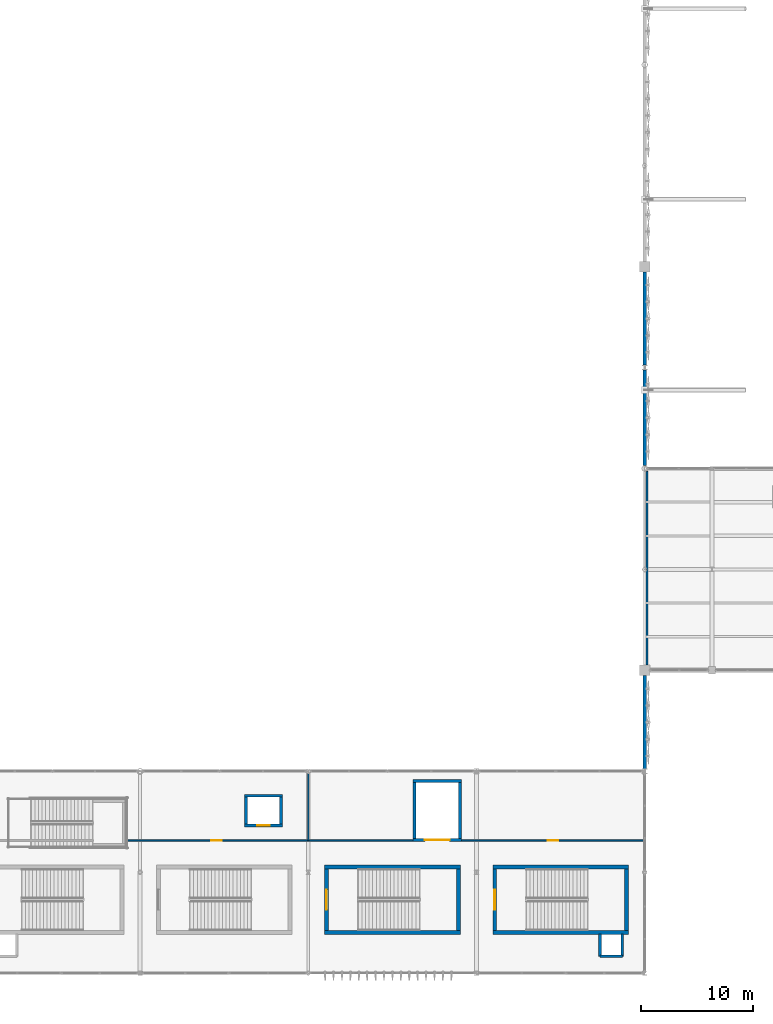
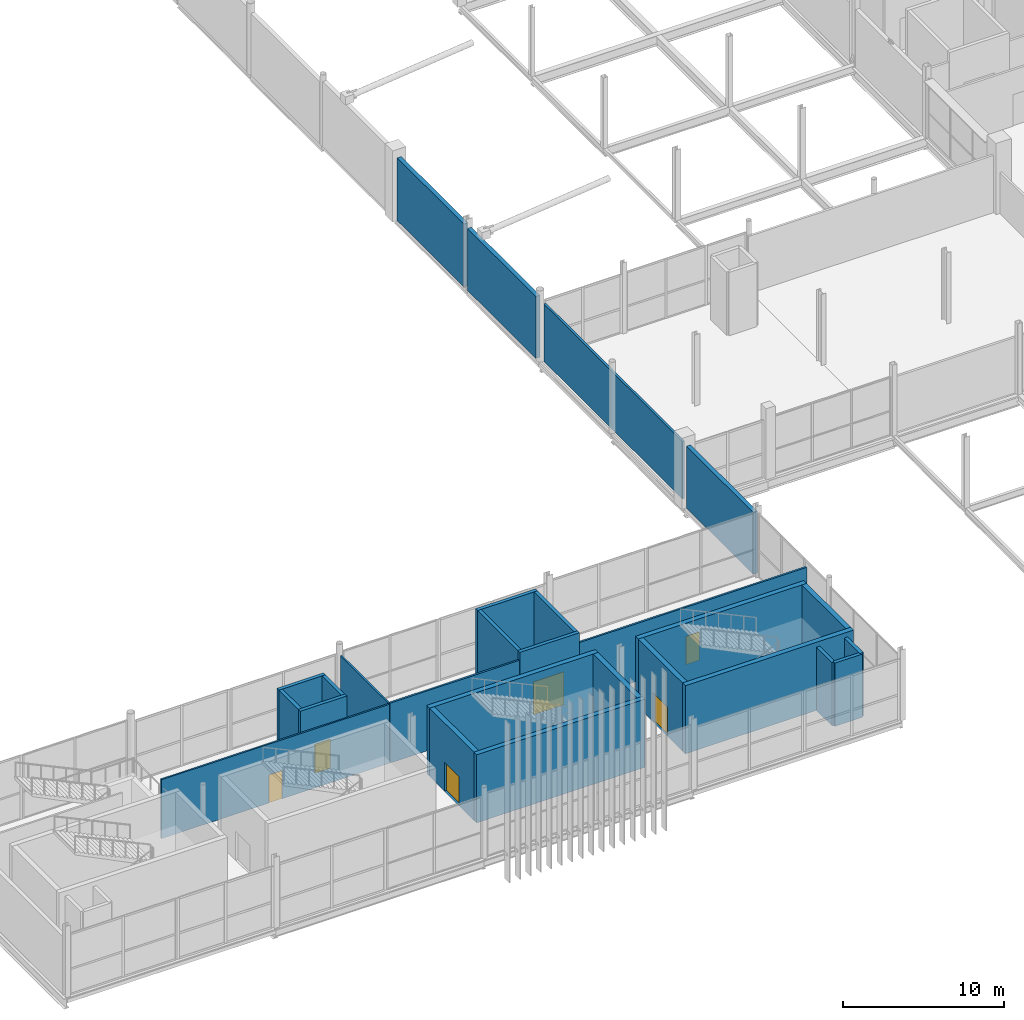
# One storey, part 87 of 119: 27 walls, 6 doors, 6 openings.
"""IFC4 building model written with IfcOpenShell, lengths in metres."""

from ifc_helpers import new_model, si_unit, direction, frame, frame_2d, origin, place, context, subcontext, project, spatial, rectangle, extrude, material, layer, layer_set, type_object, element, fill, save


model = new_model("IFC4")

# Units and contexts
model_context = context("Model", 3, precision=1e-05, world=origin(), true_north=direction((0.0, 1.0)))
body_context = subcontext(model_context, "Body", "Model", "MODEL_VIEW")
ifc_project = project(units=[si_unit("LENGTHUNIT", "METRE"), si_unit("AREAUNIT", "SQUARE_METRE"), si_unit("VOLUMEUNIT", "CUBIC_METRE"), si_unit("PLANEANGLEUNIT", "RADIAN"), si_unit("MASSUNIT", "GRAM", prefix="KILO")], contexts=[model_context])

# Site, building, storey
site_placement = place(None, origin())
site = spatial("IfcSite", under=ifc_project, at=site_placement, CompositionType="ELEMENT")
building_placement = place(site_placement, origin())
building = spatial("IfcBuilding", under=site, at=building_placement, Name="Qamarlyn Nura Convention Centre", CompositionType="ELEMENT")
storey_placement = place(building_placement, frame((0.0, 0.0, 5.39990234375)))
storey = spatial("IfcBuildingStorey", under=building, at=storey_placement, Name="L01", CompositionType="ELEMENT", Elevation=5.39990234375)

# Walls
ifc_material_1 = material(Name="Concrete C50/60", Category="concrete")
ifc_layer_1 = layer(ifc_material_1, 0.35009765625, Name="WT-CORE-350")
ifc_layer_set_1 = layer_set([ifc_layer_1], Name="Concrete C50/60")
wall_type_1 = type_object("IfcWallType", Name="WT-CORE-350", PredefinedType="SHEAR", material=ifc_layer_set_1)
for number, where, z_axis, x_axis, name in (
    (1, (91.449951171875, 3.625, 0.0), (0.0, 0.0, 1.0), (1.0, 0.0, 0.0), "L01 stair core shear wall ST-07-S"),
    (2, (103.550048828125, 9.47509765625, 0.0), (0.0, 0.0, 1.0), (-1.0, 0.0, 0.0), "L01 stair core shear wall ST-07-N"),
):
    element("IfcWall", number, at=place(storey_placement, frame(where, z_axis=z_axis, x_axis=x_axis)), inside=storey, type_object=wall_type_1, Name=name, PredefinedType="SHEAR", context=body_context, shape_type="SweptSolid", body=[
        extrude(rectangle(XDim=12.10009765625, YDim=0.35009765625, at=frame_2d((6.050048828125, 0.0))), origin(), (0.0, 0.0, 1.0), 5.18017578125),
    ])

# Wall, opening, door
wall_1_placement = place(storey_placement, frame((91.625, 9.300048828125, 0.0), z_axis=(0.0, 0.0, 1.0), x_axis=(0.0, -1.0, 0.0)))
wall_1 = element("IfcWall", 3, at=wall_1_placement, inside=storey, type_object=wall_type_1, Name="L01 stair core shear wall ST-07-W", PredefinedType="SHEAR", context=body_context, shape_type="SweptSolid", body=[
    extrude(rectangle(XDim=5.5, YDim=0.35009765625, at=frame_2d((2.75, 0.0))), origin(), (0.0, 0.0, 1.0), 5.18017578125),
])
opening_1_placement = place(wall_1_placement, frame((1.85009765625, 0.0, 0.0)))
opening_1 = element("IfcOpeningElement", 4, at=opening_1_placement, cuts=wall_1, Name="Opening DS-023", PredefinedType="OPENING", context=body_context, shape_type="SweptSolid", body=[
    extrude(rectangle(XDim=1.800048828125, YDim=2.199951171875, at=frame_2d((0.89990234375, 1.10009765625))), frame((0.0, 0.18505859375, 0.0), z_axis=(0.0, -1.0, 0.0), x_axis=(1.0, 0.0, 0.0)), (0.0, 0.0, 1.0), 0.3701171875),
])
ifc_material_2 = material(Name="Galvanised fire-rated hollow steel door", Category="steel")
door_type_1 = type_object("IfcDoorType", Name="DR-STAIR-1800", OperationType="DOUBLE_DOOR_SINGLE_SWING", PredefinedType="DOOR", material=ifc_material_2)
door_1_placement = place(opening_1_placement, origin())
door_1 = element("IfcDoor", 5, at=door_1_placement, inside=storey, type_object=door_type_1, Name="L01 exit stair door ST-07 (DS-023)", OperationType="DOUBLE_DOOR_SINGLE_SWING", OverallHeight=2.199951171875, OverallWidth=1.800048828125, PredefinedType="DOOR", context=body_context, shape_type="SweptSolid", body=[
    extrude(rectangle(XDim=1.800048828125, YDim=2.199951171875, at=frame_2d((0.89990234375, 1.10009765625))), frame((0.0, 0.02490234375, 0.0), z_axis=(0.0, -1.0, 0.0), x_axis=(1.0, 0.0, 0.0)), (0.0, 0.0, 1.0), 0.050048828125),
])
fill(opening_1, door_1)

# Walls
wall_2_placement = place(storey_placement, frame((103.375, 3.800048828125, 0.0), z_axis=(0.0, 0.0, 1.0), x_axis=(0.0, 1.0, 0.0)))
element("IfcWall", 6, at=wall_2_placement, inside=storey, type_object=wall_type_1, Name="L01 stair core shear wall ST-07-E", PredefinedType="SHEAR", context=body_context, shape_type="SweptSolid", body=[
    extrude(rectangle(XDim=5.5, YDim=0.35009765625, at=frame_2d((2.75, 0.0))), origin(), (0.0, 0.0, 1.0), 5.18017578125),
])
for number, where, z_axis, x_axis, name in (
    (7, (106.449951171875, 3.625, 0.0), (0.0, 0.0, 1.0), (1.0, 0.0, 0.0), "L01 stair core shear wall ST-08-S"),
    (8, (118.550048828125, 9.47509765625, 0.0), (0.0, 0.0, 1.0), (-1.0, 0.0, 0.0), "L01 stair core shear wall ST-08-N"),
):
    element("IfcWall", number, at=place(storey_placement, frame(where, z_axis=z_axis, x_axis=x_axis)), inside=storey, type_object=wall_type_1, Name=name, PredefinedType="SHEAR", context=body_context, shape_type="SweptSolid", body=[
        extrude(rectangle(XDim=12.10009765625, YDim=0.35009765625, at=frame_2d((6.050048828125, 0.0))), origin(), (0.0, 0.0, 1.0), 5.18017578125),
    ])

# Wall, opening, door
wall_3_placement = place(storey_placement, frame((106.625, 9.300048828125, 0.0), z_axis=(0.0, 0.0, 1.0), x_axis=(0.0, -1.0, 0.0)))
wall_3 = element("IfcWall", 9, at=wall_3_placement, inside=storey, type_object=wall_type_1, Name="L01 stair core shear wall ST-08-W", PredefinedType="SHEAR", context=body_context, shape_type="SweptSolid", body=[
    extrude(rectangle(XDim=5.5, YDim=0.35009765625, at=frame_2d((2.75, 0.0))), origin(), (0.0, 0.0, 1.0), 5.18017578125),
])
opening_2_placement = place(wall_3_placement, frame((1.85009765625, 0.0, 0.0)))
opening_2 = element("IfcOpeningElement", 10, at=opening_2_placement, cuts=wall_3, Name="Opening DS-027", PredefinedType="OPENING", context=body_context, shape_type="SweptSolid", body=[
    extrude(rectangle(XDim=1.800048828125, YDim=2.199951171875, at=frame_2d((0.89990234375, 1.10009765625))), frame((0.0, 0.18505859375, 0.0), z_axis=(0.0, -1.0, 0.0), x_axis=(1.0, 0.0, 0.0)), (0.0, 0.0, 1.0), 0.3701171875),
])
door_2_placement = place(opening_2_placement, origin())
door_2 = element("IfcDoor", 11, at=door_2_placement, inside=storey, type_object=door_type_1, Name="L01 exit stair door ST-08 (DS-027)", OperationType="DOUBLE_DOOR_SINGLE_SWING", OverallHeight=2.199951171875, OverallWidth=1.800048828125, PredefinedType="DOOR", context=body_context, shape_type="SweptSolid", body=[
    extrude(rectangle(XDim=1.800048828125, YDim=2.199951171875, at=frame_2d((0.89990234375, 1.10009765625))), frame((0.0, 0.02490234375, 0.0), z_axis=(0.0, -1.0, 0.0), x_axis=(1.0, 0.0, 0.0)), (0.0, 0.0, 1.0), 0.050048828125),
])
fill(opening_2, door_2)

# Walls
wall_4_placement = place(storey_placement, frame((118.375, 3.800048828125, 0.0), z_axis=(0.0, 0.0, 1.0), x_axis=(0.0, 1.0, 0.0)))
element("IfcWall", 12, at=wall_4_placement, inside=storey, type_object=wall_type_1, Name="L01 stair core shear wall ST-08-E", PredefinedType="SHEAR", context=body_context, shape_type="SweptSolid", body=[
    extrude(rectangle(XDim=5.5, YDim=0.35009765625, at=frame_2d((2.75, 0.0))), origin(), (0.0, 0.0, 1.0), 5.18017578125),
])
ifc_material_3 = material(Name="Concrete C40/50 with UAE coastal limestone stone facing", Category="masonry")
ifc_layer_2 = layer(ifc_material_3, 0.300048828125, Name="WT-LIME-300")
ifc_layer_set_2 = layer_set([ifc_layer_2], Name="Concrete C40/50 with UAE coastal limestone stone facing")
wall_type_2 = type_object("IfcWallType", Name="WT-LIME-300", PredefinedType="SOLIDWALL", material=ifc_layer_set_2)
wall_5_placement = place(storey_placement, frame((120.0, 26.52490234375, 0.0), z_axis=(0.0, 0.0, 1.0), x_axis=(0.0, -1.0, 0.0)))
element("IfcWall", 13, at=wall_5_placement, inside=storey, type_object=wall_type_2, Name="L01 exterior facade wall WEXT-L01-1200-265-1200-182", PredefinedType="SOLIDWALL", context=body_context, shape_type="SweptSolid", body=[
    extrude(rectangle(XDim=8.3125, YDim=0.300048828125, at=frame_2d((4.15625, 0.0))), origin(), (0.0, 0.0, 1.0), 4.701171875),
])
wall_6_placement = place(storey_placement, frame((120.0, 53.78759765625, 0.0), z_axis=(0.0, 0.0, 1.0), x_axis=(0.0, -1.0, 0.0)))
element("IfcWall", 14, at=wall_6_placement, inside=storey, type_object=wall_type_2, Name="L01 exterior facade wall WEXT-L01-1200-538-1200-453", PredefinedType="SOLIDWALL", context=body_context, shape_type="SweptSolid", body=[
    extrude(rectangle(XDim=8.53369140625, YDim=0.300048828125, at=frame_2d((4.266845703125, 0.0))), origin(), (0.0, 0.0, 1.0), 4.701171875),
])
wall_7_placement = place(storey_placement, frame((120.0, 62.52490234375, 0.0), z_axis=(0.0, 0.0, 1.0), x_axis=(0.0, -1.0, 0.0)))
element("IfcWall", 15, at=wall_7_placement, inside=storey, type_object=wall_type_2, Name="L01 exterior facade wall WEXT-L01-1200-625-1200-542", PredefinedType="SOLIDWALL", context=body_context, shape_type="SweptSolid", body=[
    extrude(rectangle(XDim=8.3125, YDim=0.300048828125, at=frame_2d((4.15625, 0.0))), origin(), (0.0, 0.0, 1.0), 4.774169921875),
])
ifc_material_4 = material(Name="Acoustic double-stud gypsum partition")
ifc_layer_3 = layer(ifc_material_4, 0.1201171875, Name="WT-PART-120")
ifc_layer_set_3 = layer_set([ifc_layer_3], Name="Acoustic double-stud gypsum partition")
wall_type_3 = type_object("IfcWallType", Name="WT-PART-120", PredefinedType="PARTITIONING", material=ifc_layer_set_3)
wall_8_placement = place(storey_placement, frame((90.0, 17.7900390625, 0.0), z_axis=(0.0, 0.0, 1.0), x_axis=(0.0, -1.0, 0.0)))
element("IfcWall", 16, at=wall_8_placement, inside=storey, type_object=wall_type_3, Name="L01 interior partition L01-MEZ-VIEW-2-1", PredefinedType="PARTITIONING", context=body_context, shape_type="SweptSolid", body=[
    extrude(rectangle(XDim=5.949951171875, YDim=0.1201171875, at=frame_2d((2.97509765625, 0.0))), origin(), (0.0, 0.0, 1.0), 4.55419921875),
])

# Wall, opening, door
wall_9_placement = place(storey_placement, frame((90.0, 11.840087890625, 0.0), z_axis=(0.0, 0.0, 1.0), x_axis=(-1.0, 0.0, 0.0)))
wall_9 = element("IfcWall", 17, at=wall_9_placement, inside=storey, type_object=wall_type_3, Name="L01 interior partition L01-MEZ-VIEW-3-1", PredefinedType="PARTITIONING", context=body_context, shape_type="SweptSolid", body=[
    extrude(rectangle(XDim=16.3798828125, YDim=0.1201171875, at=frame_2d((8.18994140625, 0.0))), origin(), (0.0, 0.0, 1.0), 4.481201171875),
])
opening_3_placement = place(wall_9_placement, frame((7.719970703125, 0.0, 0.0)))
opening_3 = element("IfcOpeningElement", 18, at=opening_3_placement, cuts=wall_9, Name="Opening D-L01-161", PredefinedType="OPENING", context=body_context, shape_type="SweptSolid", body=[
    extrude(rectangle(XDim=0.93994140625, YDim=2.14990234375, at=frame_2d((0.469970703125, 1.074951171875))), frame((0.0, 0.070068359375, 0.0), z_axis=(0.0, -1.0, 0.0), x_axis=(1.0, 0.0, 0.0)), (0.0, 0.0, 1.0), 0.14013671875),
])
ifc_material_5 = material(Name="Acoustic walnut timber leaf", Category="wood")
door_type_2 = type_object("IfcDoorType", Name="DR-ROOM-0940", OperationType="NOTDEFINED", PredefinedType="DOOR", material=ifc_material_5)
door_3_placement = place(opening_3_placement, origin())
door_3 = element("IfcDoor", 19, at=door_3_placement, inside=storey, type_object=door_type_2, Name="L01 Viewing Mezzanine door D-L01-161", OperationType="SINGLE_SWING_RIGHT", OverallHeight=2.14990234375, OverallWidth=0.93994140625, PredefinedType="DOOR", context=body_context, shape_type="SweptSolid", body=[
    extrude(rectangle(XDim=0.93994140625, YDim=2.14990234375, at=frame_2d((0.469970703125, 1.074951171875))), frame((0.0, 0.02490234375, 0.0), z_axis=(0.0, -1.0, 0.0), x_axis=(1.0, 0.0, 0.0)), (0.0, 0.0, 1.0), 0.050048828125),
])
fill(opening_3, door_3)

ifc_layer_4 = layer(ifc_material_4, 0.135009765625, Name="WT-PART-135")
ifc_layer_set_4 = layer_set([ifc_layer_4], Name="Acoustic double-stud gypsum partition")
wall_type_4 = type_object("IfcWallType", Name="WT-PART-135", PredefinedType="PARTITIONING", material=ifc_layer_set_4)
wall_10_placement = place(storey_placement, frame((119.988037109375, 11.840087890625, 0.0), z_axis=(0.0, 0.0, 1.0), x_axis=(-1.0, 0.0, 0.0)))
wall_10 = element("IfcWall", 20, at=wall_10_placement, inside=storey, type_object=wall_type_4, Name="L01 interior partition L01-BRK-SW1-2-1", PredefinedType="PARTITIONING", context=body_context, shape_type="SweptSolid", body=[
    extrude(rectangle(XDim=16.338134765625, YDim=0.135009765625, at=frame_2d((8.1689453125, 0.0))), origin(), (0.0, 0.0, 1.0), 4.39208984375),
])
opening_4_placement = place(wall_10_placement, frame((7.678955078125, 0.0, 0.0)))
opening_4 = element("IfcOpeningElement", 21, at=opening_4_placement, cuts=wall_10, Name="Opening D-L01-162", PredefinedType="OPENING", context=body_context, shape_type="SweptSolid", body=[
    extrude(rectangle(XDim=0.97998046875, YDim=2.14990234375, at=frame_2d((0.489990234375, 1.074951171875))), frame((0.0, 0.07763671875, 0.0), z_axis=(0.0, -1.0, 0.0), x_axis=(1.0, 0.0, 0.0)), (0.0, 0.0, 1.0), 0.155029296875),
])
door_type_3 = type_object("IfcDoorType", Name="DR-ROOM-0980", OperationType="NOTDEFINED", PredefinedType="DOOR", material=ifc_material_5)
door_4_placement = place(opening_4_placement, origin())
door_4 = element("IfcDoor", 22, at=door_4_placement, inside=storey, type_object=door_type_3, Name="L01 South Breakout Meeting Suite 101 door D-L01-162", OperationType="SINGLE_SWING_LEFT", OverallHeight=2.14990234375, OverallWidth=0.97998046875, PredefinedType="DOOR", context=body_context, shape_type="SweptSolid", body=[
    extrude(rectangle(XDim=0.97998046875, YDim=2.14990234375, at=frame_2d((0.489990234375, 1.074951171875))), frame((0.0, 0.02490234375, 0.0), z_axis=(0.0, -1.0, 0.0), x_axis=(1.0, 0.0, 0.0)), (0.0, 0.0, 1.0), 0.050048828125),
])
fill(opening_4, door_4)

# Walls
wall_11_placement = place(storey_placement, frame((99.35009765625, 11.840087890625, 0.0), z_axis=(0.0, 0.0, 1.0), x_axis=(-1.0, 0.0, 0.0)))
element("IfcWall", 23, at=wall_11_placement, inside=storey, type_object=wall_type_4, Name="L01 interior partition L01-BRK-SW1-52-1", PredefinedType="PARTITIONING", context=body_context, shape_type="SweptSolid", body=[
    extrude(rectangle(XDim=9.31005859375, YDim=0.135009765625, at=frame_2d((4.655029296875, 0.0))), origin(), (0.0, 0.0, 1.0), 4.55419921875),
])
ifc_material_6 = material(Name="Fire-rated acoustic gypsum board EI 60")
ifc_layer_5 = layer(ifc_material_6, 0.159912109375, Name="WT-PART-160")
ifc_layer_set_5 = layer_set([ifc_layer_5], Name="Fire-rated acoustic gypsum board EI 60")
wall_type_5 = type_object("IfcWallType", Name="WT-PART-160", PredefinedType="PARTITIONING", material=ifc_layer_set_5)
wall_12_placement = place(storey_placement, frame((120.199951171875, 27.47998046875, 0.0), z_axis=(0.0, 0.0, 1.0), x_axis=(0.0, 1.0, 0.0)))
element("IfcWall", 24, at=wall_12_placement, inside=storey, type_object=wall_type_5, Name="L01 interior partition L01-BRG-CON1-21-1", PredefinedType="PARTITIONING", context=body_context, shape_type="SweptSolid", body=[
    extrude(rectangle(XDim=17.260009765625, YDim=0.159912109375, at=frame_2d((8.6298828125, 0.0))), origin(), (0.0, 0.0, 1.0), 4.3720703125),
])

# Wall, opening, door
ifc_material_7 = material(Name="Fire-rated acoustic gypsum board and mineral wool EI 120")
ifc_layer_6 = layer(ifc_material_7, 0.25, Name="WT-SHAFT-250")
ifc_layer_set_6 = layer_set([ifc_layer_6], Name="Fire-rated acoustic gypsum board and mineral wool EI 120")
wall_type_6 = type_object("IfcWallType", Name="WT-SHAFT-250", PredefinedType="SOLIDWALL", material=ifc_layer_set_6)
wall_13_placement = place(storey_placement, frame((84.324951171875, 13.175048828125, 0.0), z_axis=(0.0, 0.0, 1.0), x_axis=(1.0, 0.0, 0.0)))
wall_13 = element("IfcWall", 25, at=wall_13_placement, inside=storey, type_object=wall_type_6, Name="L01 lift shaft enclosure wall PL-06 -y", PredefinedType="SOLIDWALL", context=body_context, shape_type="SweptSolid", body=[
    extrude(rectangle(XDim=3.35009765625, YDim=0.25, at=frame_2d((1.675048828125, 0.0))), origin(), (0.0, 0.0, 1.0), 5.16015625),
])
opening_5_placement = place(wall_13_placement, frame((1.125, 0.0, 0.0)))
opening_5 = element("IfcOpeningElement", 26, at=opening_5_placement, cuts=wall_13, Name="Opening LD-PL-06-L01", PredefinedType="OPENING", context=body_context, shape_type="SweptSolid", body=[
    extrude(rectangle(XDim=1.10009765625, YDim=2.199951171875, at=frame_2d((0.550048828125, 1.10009765625))), frame((0.0, 0.135009765625, 0.0), z_axis=(0.0, -1.0, 0.0), x_axis=(1.0, 0.0, 0.0)), (0.0, 0.0, 1.0), 0.27001953125),
])
ifc_material_8 = material(Name="Marine Grade 316 stainless steel", Category="steel")
door_type_4 = type_object("IfcDoorType", Name="DR-LD-PAX", OperationType="DOUBLE_DOOR_SLIDING", PredefinedType="DOOR", material=ifc_material_8)
door_5_placement = place(opening_5_placement, origin())
door_5 = element("IfcDoor", 27, at=door_5_placement, inside=storey, type_object=door_type_4, Name="Lift landing door LD-PL-06-L01", OperationType="DOUBLE_DOOR_SLIDING", OverallHeight=2.199951171875, OverallWidth=1.10009765625, PredefinedType="DOOR", context=body_context, shape_type="SweptSolid", body=[
    extrude(rectangle(XDim=1.10009765625, YDim=2.199951171875, at=frame_2d((0.550048828125, 1.10009765625))), frame((0.0, 0.02490234375, 0.0), z_axis=(0.0, -1.0, 0.0), x_axis=(1.0, 0.0, 0.0)), (0.0, 0.0, 1.0), 0.050048828125),
])
fill(opening_5, door_5)

# Walls
wall_14_placement = place(storey_placement, frame((87.675048828125, 15.824951171875, 0.0), z_axis=(0.0, 0.0, 1.0), x_axis=(-1.0, 0.0, 0.0)))
element("IfcWall", 28, at=wall_14_placement, inside=storey, type_object=wall_type_6, Name="L01 lift shaft enclosure wall PL-06 +y", PredefinedType="SOLIDWALL", context=body_context, shape_type="SweptSolid", body=[
    extrude(rectangle(XDim=3.35009765625, YDim=0.25, at=frame_2d((1.675048828125, 0.0))), origin(), (0.0, 0.0, 1.0), 5.16015625),
])
for number, where, z_axis, x_axis, name in (
    (29, (84.449951171875, 15.699951171875, 0.0), (0.0, 0.0, 1.0), (0.0, -1.0, 0.0), "L01 lift shaft enclosure wall PL-06 -x"),
    (30, (87.550048828125, 13.300048828125, 0.0), (0.0, 0.0, 1.0), (0.0, 1.0, 0.0), "L01 lift shaft enclosure wall PL-06 +x"),
):
    element("IfcWall", number, at=place(storey_placement, frame(where, z_axis=z_axis, x_axis=x_axis)), inside=storey, type_object=wall_type_6, Name=name, PredefinedType="SOLIDWALL", context=body_context, shape_type="SweptSolid", body=[
        extrude(rectangle(XDim=2.39990234375, YDim=0.25, at=frame_2d((1.199951171875, 0.0))), origin(), (0.0, 0.0, 1.0), 5.16015625),
    ])

# Wall, opening, door
wall_15_placement = place(storey_placement, frame((99.35009765625, 11.875, 0.0), z_axis=(0.0, 0.0, 1.0), x_axis=(1.0, 0.0, 0.0)))
wall_15 = element("IfcWall", 31, at=wall_15_placement, inside=storey, type_object=wall_type_6, Name="L01 lift shaft enclosure wall FL-02 -y", PredefinedType="SOLIDWALL", context=body_context, shape_type="SweptSolid", body=[
    extrude(rectangle(XDim=4.2998046875, YDim=0.25, at=frame_2d((2.14990234375, 0.0))), origin(), (0.0, 0.0, 1.0), 5.16015625),
])
opening_6_placement = place(wall_15_placement, frame((1.050048828125, 0.0, 0.0)))
opening_6 = element("IfcOpeningElement", 32, at=opening_6_placement, cuts=wall_15, Name="Opening LD-FL-02-L01", PredefinedType="OPENING", context=body_context, shape_type="SweptSolid", body=[
    extrude(rectangle(XDim=2.199951171875, YDim=2.5, at=frame_2d((1.10009765625, 1.25))), frame((0.0, 0.135009765625, 0.0), z_axis=(0.0, -1.0, 0.0), x_axis=(1.0, 0.0, 0.0)), (0.0, 0.0, 1.0), 0.27001953125),
])
door_type_5 = type_object("IfcDoorType", Name="DR-LD-FRT", OperationType="DOUBLE_DOOR_SLIDING", PredefinedType="DOOR", material=ifc_material_2)
door_6_placement = place(opening_6_placement, origin())
door_6 = element("IfcDoor", 33, at=door_6_placement, inside=storey, type_object=door_type_5, Name="Lift landing door LD-FL-02-L01", OperationType="DOUBLE_DOOR_SLIDING", OverallHeight=2.5, OverallWidth=2.199951171875, PredefinedType="DOOR", context=body_context, shape_type="SweptSolid", body=[
    extrude(rectangle(XDim=2.199951171875, YDim=2.5, at=frame_2d((1.10009765625, 1.25))), frame((0.0, 0.02490234375, 0.0), z_axis=(0.0, -1.0, 0.0), x_axis=(1.0, 0.0, 0.0)), (0.0, 0.0, 1.0), 0.050048828125),
])
fill(opening_6, door_6)

# Walls
wall_16_placement = place(storey_placement, frame((103.64990234375, 17.125, 0.0), z_axis=(0.0, 0.0, 1.0), x_axis=(-1.0, 0.0, 0.0)))
element("IfcWall", 34, at=wall_16_placement, inside=storey, type_object=wall_type_6, Name="L01 lift shaft enclosure wall FL-02 +y", PredefinedType="SOLIDWALL", context=body_context, shape_type="SweptSolid", body=[
    extrude(rectangle(XDim=4.2998046875, YDim=0.25, at=frame_2d((2.14990234375, 0.0))), origin(), (0.0, 0.0, 1.0), 5.16015625),
])
for number, where, z_axis, x_axis, name in (
    (35, (99.47509765625, 17.0, 0.0), (0.0, 0.0, 1.0), (0.0, -1.0, 0.0), "L01 lift shaft enclosure wall FL-02 -x"),
    (36, (103.52490234375, 12.0, 0.0), (0.0, 0.0, 1.0), (0.0, 1.0, 0.0), "L01 lift shaft enclosure wall FL-02 +x"),
):
    element("IfcWall", number, at=place(storey_placement, frame(where, z_axis=z_axis, x_axis=x_axis)), inside=storey, type_object=wall_type_6, Name=name, PredefinedType="SOLIDWALL", context=body_context, shape_type="SweptSolid", body=[
        extrude(rectangle(XDim=5.0, YDim=0.25, at=frame_2d((2.5, 0.0))), origin(), (0.0, 0.0, 1.0), 5.16015625),
    ])
for number, where, z_axis, x_axis, name in (
    (37, (116.0, 1.5, 0.0), (0.0, 0.0, 1.0), (1.0, 0.0, 0.0), "L01 MEP riser shaft wall 17-S"),
    (38, (116.0, 3.5, 0.0), (0.0, 0.0, 1.0), (0.0, -1.0, 0.0), "L01 MEP riser shaft wall 17-W"),
    (39, (118.0, 1.5, 0.0), (0.0, 0.0, 1.0), (0.0, 1.0, 0.0), "L01 MEP riser shaft wall 17-E"),
):
    element("IfcWall", number, at=place(storey_placement, frame(where, z_axis=z_axis, x_axis=x_axis)), inside=storey, type_object=wall_type_6, Name=name, PredefinedType="SOLIDWALL", context=body_context, shape_type="SweptSolid", body=[
        extrude(rectangle(XDim=2.0, YDim=0.25, at=frame_2d((1.0, 0.0))), origin(), (0.0, 0.0, 1.0), 4.81005859375),
    ])

save(model, "model.ifc")
